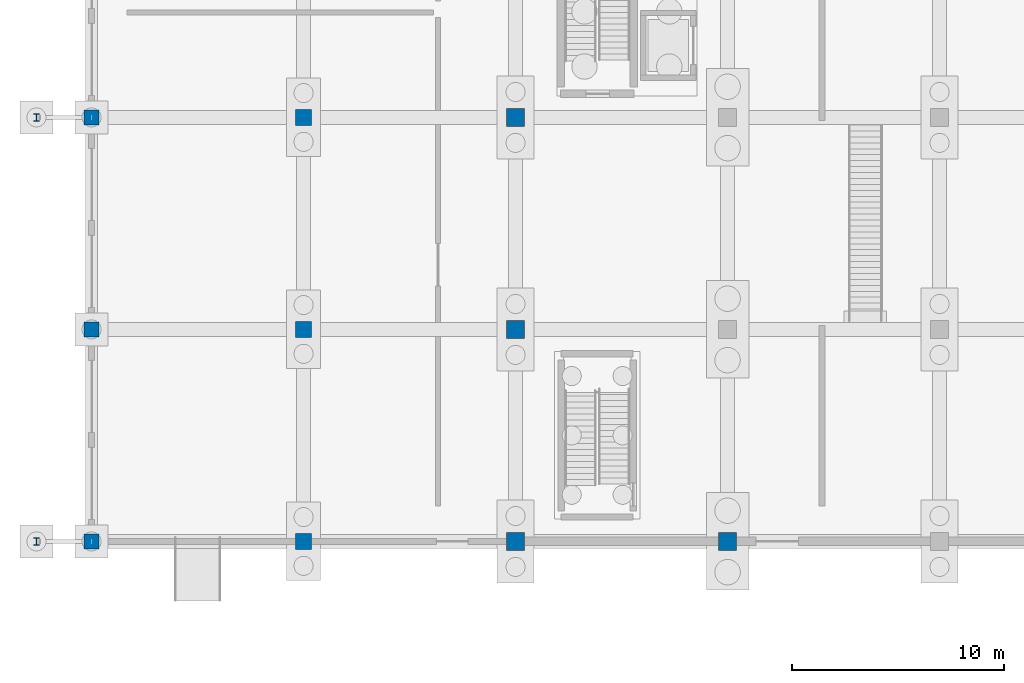
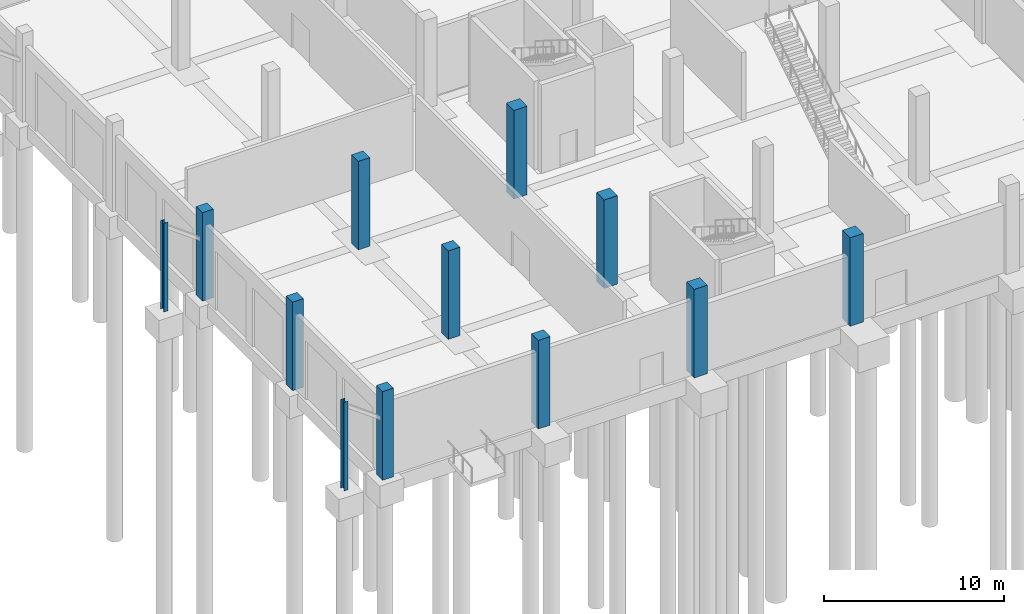
# One storey, part 14 of 140: 12 columns.
"""IFC4 building model written with IfcOpenShell, lengths in metres."""

from ifc_helpers import new_model, si_unit, direction, frame, origin, origin_2d, place, context, subcontext, project, spatial, rectangle, i_section, extrude, material, material_profile, profile_set, type_object, element, save


model = new_model("IFC4")

# Units and contexts
model_context = context("Model", 3, precision=1e-05, world=origin(), true_north=direction((0.0, 1.0)))
body_context = subcontext(model_context, "Body", "Model", "MODEL_VIEW")
ifc_project = project(units=[si_unit("LENGTHUNIT", "METRE"), si_unit("AREAUNIT", "SQUARE_METRE"), si_unit("VOLUMEUNIT", "CUBIC_METRE"), si_unit("PLANEANGLEUNIT", "RADIAN"), si_unit("MASSUNIT", "GRAM", prefix="KILO")], contexts=[model_context])

# Site, building, storey
site_placement = place(None, origin())
site = spatial("IfcSite", under=ifc_project, at=site_placement, CompositionType="ELEMENT")
building_placement = place(site_placement, origin())
building = spatial("IfcBuilding", under=site, at=building_placement, Name="Corvandel Quay Wholesale Market", CompositionType="ELEMENT")
storey_placement = place(building_placement, origin())
storey = spatial("IfcBuildingStorey", under=building, at=storey_placement, Name="L00", CompositionType="ELEMENT", Elevation=0.0)

# Columns
ifc_material_1 = material(Name="Precast concrete C45/55", Category="concrete")
ifc_material_profile_1 = material_profile(ifc_material_1, rectangle(XDim=0.85009765625, YDim=0.85009765625, at=origin_2d()), Name="PC-COL-850x850")
ifc_profile_set_1 = profile_set([ifc_material_profile_1], Name="Precast concrete C45/55")
column_type_1 = type_object("IfcColumnType", Name="Precast Column C01 850x850", PredefinedType="COLUMN", material=ifc_profile_set_1)
for number, where, z_axis, x_axis, name in (
    (1, (20.0, 10.0, 0.0), (0.0, 0.0, 1.0), (1.0, 0.0, 0.0), "Column COL-0611"),
    (2, (20.0, 20.0, 0.0), (0.0, 0.0, 1.0), (1.0, 0.0, 0.0), "Column COL-0614"),
    (3, (20.0, 30.0, 0.0), (0.0, 0.0, 1.0), (1.0, 0.0, 0.0), "Column COL-0617"),
    (4, (30.0, 10.0, 0.0), (0.0, 0.0, 1.0), (1.0, 0.0, 0.0), "Column COL-0651"),
):
    element("IfcColumn", number, at=place(storey_placement, frame(where, z_axis=z_axis, x_axis=x_axis)), inside=storey, type_object=column_type_1, Name=name, PredefinedType="COLUMN", context=body_context, shape_type="SweptSolid", body=[
        extrude(rectangle(XDim=0.85009765625, YDim=0.85009765625, at=origin_2d()), origin(), (0.0, 0.0, 1.0), 6.0),
    ])
ifc_material_profile_2 = material_profile(ifc_material_1, rectangle(XDim=0.75, YDim=0.75, at=origin_2d()), Name="PC-COL-750x750")
ifc_profile_set_2 = profile_set([ifc_material_profile_2], Name="Precast concrete C45/55")
column_type_2 = type_object("IfcColumnType", Name="Precast Column C03 750x750", PredefinedType="COLUMN", material=ifc_profile_set_2)
for number, where, z_axis, x_axis, name in (
    (5, (10.0, 10.0, 0.0), (0.0, 0.0, 1.0), (1.0, 0.0, 0.0), "Column COL-0600"),
    (6, (10.0, 20.0, 0.0), (0.0, 0.0, 1.0), (1.0, 0.0, 0.0), "Column COL-0601"),
    (7, (10.0, 30.0, 0.0), (0.0, 0.0, 1.0), (1.0, 0.0, 0.0), "Column COL-0602"),
):
    element("IfcColumn", number, at=place(storey_placement, frame(where, z_axis=z_axis, x_axis=x_axis)), inside=storey, type_object=column_type_2, Name=name, PredefinedType="COLUMN", context=body_context, shape_type="SweptSolid", body=[
        extrude(rectangle(XDim=0.75, YDim=0.75, at=origin_2d()), origin(), (0.0, 0.0, 1.0), 6.0),
    ])
ifc_material_profile_3 = material_profile(ifc_material_1, rectangle(XDim=0.699951171875, YDim=0.699951171875, at=origin_2d()), Name="PC-COL-700x700")
ifc_profile_set_3 = profile_set([ifc_material_profile_3], Name="Precast concrete C45/55")
column_type_3 = type_object("IfcColumnType", Name="Precast Column C04 700x700", PredefinedType="COLUMN", material=ifc_profile_set_3)
for number, where, z_axis, x_axis, name in (
    (8, (0.0, 10.0, 0.0), (0.0, 0.0, 1.0), (1.0, 0.0, 0.0), "Column COL-0589"),
    (9, (0.0, 20.0, 0.0), (0.0, 0.0, 1.0), (1.0, 0.0, 0.0), "Column COL-0590"),
    (10, (0.0, 30.0, 0.0), (0.0, 0.0, 1.0), (1.0, 0.0, 0.0), "Column COL-0591"),
):
    element("IfcColumn", number, at=place(storey_placement, frame(where, z_axis=z_axis, x_axis=x_axis)), inside=storey, type_object=column_type_3, Name=name, PredefinedType="COLUMN", context=body_context, shape_type="SweptSolid", body=[
        extrude(rectangle(XDim=0.699951171875, YDim=0.699951171875, at=origin_2d()), origin(), (0.0, 0.0, 1.0), 6.0),
    ])
ifc_material_2 = material(Name="Steel A992 Grade 50", Category="steel")
ifc_material_profile_4 = material_profile(ifc_material_2, i_section(OverallWidth=0.2548828125, OverallDepth=0.35693359375, WebThickness=0.010498046875, FlangeThickness=0.018310546875, at=origin_2d()), Name="W14X68")
ifc_profile_set_4 = profile_set([ifc_material_profile_4], Name="Steel A992 Grade 50")
column_type_4 = type_object("IfcColumnType", Name="Steel Canopy Column C13 W14X68", PredefinedType="COLUMN", material=ifc_profile_set_4)
for number, where, z_axis, x_axis, name in (
    (11, (-2.60009765625, 10.0, 0.0), (0.0, 0.0, 1.0), (1.0, 0.0, 0.0), "Column COL-0583"),
    (12, (-2.60009765625, 30.0, 0.0), (0.0, 0.0, 1.0), (1.0, 0.0, 0.0), "Column COL-0584"),
):
    element("IfcColumn", number, at=place(storey_placement, frame(where, z_axis=z_axis, x_axis=x_axis)), inside=storey, type_object=column_type_4, Name=name, PredefinedType="COLUMN", context=body_context, shape_type="SweptSolid", body=[
        extrude(i_section(OverallWidth=0.2548828125, OverallDepth=0.35693359375, WebThickness=0.010498046875, FlangeThickness=0.018310546875, at=origin_2d()), origin(), (0.0, 0.0, 1.0), 6.0),
    ])

save(model, "model.ifc")
